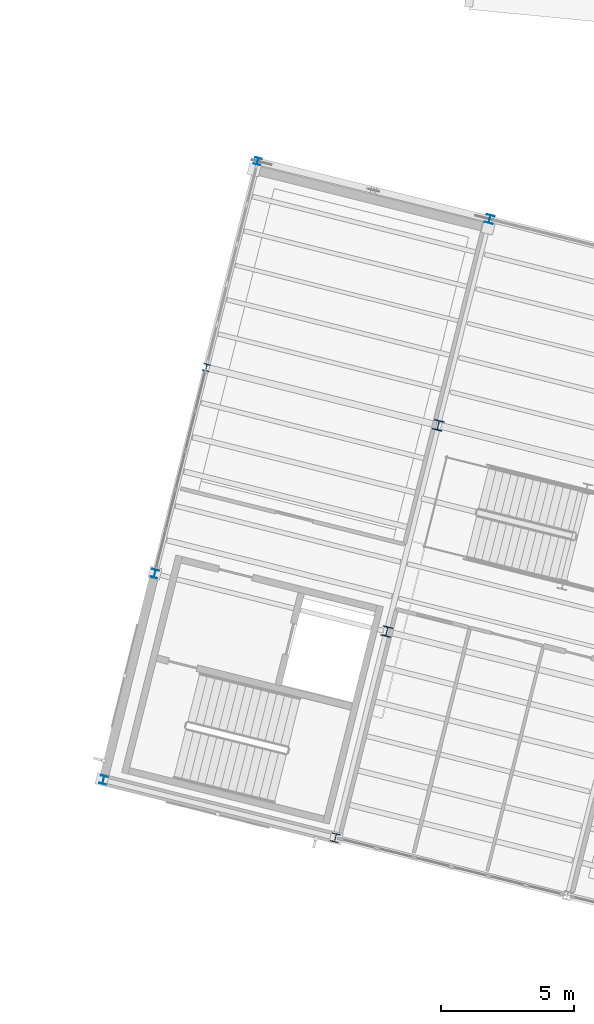
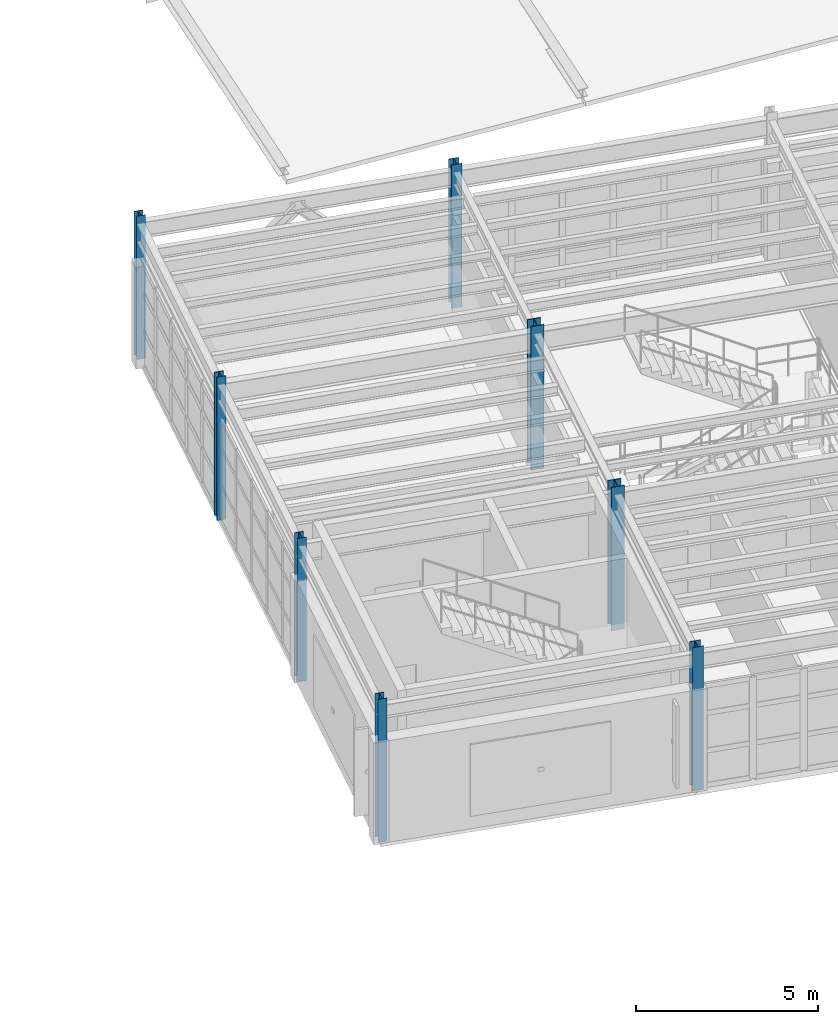
# One storey, part 2 of 59: 8 columns.
"""IFC4 building model written with IfcOpenShell, lengths in metres."""

import ifcopenshell
import ifcopenshell.guid

model = None  # the IFC model being written
_history = None  # IfcOwnerHistory: only IFC2X3 demands one
_inside = {}  # id of a spatial element -> (the spatial element, [elements in it])
_under = {}  # id of a project, library or spatial element -> (it, [spatial elements below it])
_declared = {}  # id of a project -> (the project, [libraries it declares])
_typed = {}  # id of a type object -> (the type object, [elements of that type])
_made_of = {}  # id of a material, layer set ... -> (it, [elements and type objects made of it])


def new_model(schema):
    """Start an empty IFC model of exactly this schema.

    Asked for "IFC4X3", IfcOpenShell would pick the latest addendum, in which some entities
    have other attributes; the version numbers below select the first issue.
    IFC2X3 requires an IfcOwnerHistory on every rooted entity: one is made here for all.
    """
    global model, _history
    if schema == "IFC4X3":
        model = ifcopenshell.file(schema_version=(4, 3, 0, 0))
    else:
        model = ifcopenshell.file(schema=schema)
    _inside.clear()
    _under.clear()
    _declared.clear()
    _typed.clear()
    _made_of.clear()
    _history = None
    if model.schema == "IFC2X3":
        org = make("IfcOrganization", Name="unknown")
        user = make(
            "IfcPersonAndOrganization",
            ThePerson=make("IfcPerson", FamilyName="unknown"),
            TheOrganization=org,
        )
        app = make(
            "IfcApplication",
            ApplicationDeveloper=org,
            Version="unknown",
            ApplicationFullName="unknown",
            ApplicationIdentifier="unknown",
        )
        _history = make(
            "IfcOwnerHistory",
            OwningUser=user,
            OwningApplication=app,
            ChangeAction="ADDED",
            CreationDate=0,
        )
    return model


def make(cls, **values):
    """One entity of the class cls with the attributes given. An attribute that is None is left unset."""
    return model.create_entity(
        cls, **{name: value for name, value in values.items() if value is not None}
    )


def rooted(cls, **values):
    """An entity with a GlobalId (a new one), such as an element, a storey or a relation."""
    return make(cls, GlobalId=ifcopenshell.guid.new(), OwnerHistory=_history, **values)


def si_unit(unit_type, name, prefix=None):
    """IfcSIUnit, for example si_unit("LENGTHUNIT", "METRE", prefix="MILLI")."""
    return make("IfcSIUnit", UnitType=unit_type, Prefix=prefix, Name=name)


def assignment(units):
    """IfcUnitAssignment: the units of a project."""
    return None if units is None else make("IfcUnitAssignment", Units=units)


def point(xyz):
    """IfcCartesianPoint."""
    return None if xyz is None else make("IfcCartesianPoint", Coordinates=xyz)


def direction(xyz):
    """IfcDirection."""
    return None if xyz is None else make("IfcDirection", DirectionRatios=xyz)


def frame(location, z_axis=None, x_axis=None):
    """IfcAxis2Placement3D, a coordinate frame: its origin and axes. An axis left out is left unset."""
    return make(
        "IfcAxis2Placement3D",
        Location=point(location),
        Axis=direction(z_axis),
        RefDirection=direction(x_axis),
    )


def frame_2d(location, x_axis=None):
    """IfcAxis2Placement2D, a coordinate frame in the plane: its origin and x axis."""
    return make(
        "IfcAxis2Placement2D", Location=point(location), RefDirection=direction(x_axis)
    )


def origin():
    """The frame at (0, 0, 0) with its axes left unset."""
    return frame((0.0, 0.0, 0.0))


def origin_2d():
    """The frame at (0, 0) in the plane with its x axis left unset."""
    return frame_2d((0.0, 0.0))


def place(relative_to, where):
    """IfcLocalPlacement: puts the frame where relative to a parent placement (None: the world)."""
    return make(
        "IfcLocalPlacement", PlacementRelTo=relative_to, RelativePlacement=where
    )


def context(
    kind, dimensions, precision=None, world=None, true_north=None, identifier=None
):
    """IfcGeometricRepresentationContext, for example the 3D "Model" context."""
    return make(
        "IfcGeometricRepresentationContext",
        ContextIdentifier=identifier,
        ContextType=kind,
        CoordinateSpaceDimension=dimensions,
        Precision=precision,
        WorldCoordinateSystem=world,
        TrueNorth=true_north,
    )


def subcontext(parent, identifier, kind, view, scale=None):
    """IfcGeometricRepresentationSubContext, for example "Body" below "Model"."""
    return make(
        "IfcGeometricRepresentationSubContext",
        ContextIdentifier=identifier,
        ContextType=kind,
        ParentContext=parent,
        TargetScale=scale,
        TargetView=view,
    )


def project(units=None, contexts=None):
    """IfcProject with its units and contexts."""
    return rooted(
        "IfcProject",
        Name="project",
        RepresentationContexts=contexts,
        UnitsInContext=assignment(units),
    )


def spatial(cls, under=None, at=None, **own):
    """A site, building, storey or space (cls), placed at a placement, below another one or the project."""
    s = rooted(cls, ObjectPlacement=at, **own)
    if under is not None:
        _under.setdefault(under.id(), (under, []))[1].append(s)
    return s


def profile(cls, at=None, kind="AREA", **sizes):
    """A parametric profile (cls). Its sizes go by their IFC names, for example OverallWidth=200.0."""
    return make(cls, ProfileType=kind, Position=at, **sizes)


def i_section(**sizes):
    """IfcIShapeProfileDef."""
    return profile("IfcIShapeProfileDef", **sizes)


def extrude(swept, where, along, depth):
    """IfcExtrudedAreaSolid: the profile swept, set in the frame where, extruded along a direction by depth."""
    return make(
        "IfcExtrudedAreaSolid",
        SweptArea=swept,
        Position=where,
        ExtrudedDirection=direction(along),
        Depth=depth,
    )


def shape(context_of_items, identifier, shape_type, items):
    """IfcShapeRepresentation: the items that make up one representation, for example the "Body"."""
    return make(
        "IfcShapeRepresentation",
        ContextOfItems=context_of_items,
        RepresentationIdentifier=identifier,
        RepresentationType=shape_type,
        Items=items,
    )


def material(Name=None, Category=None):
    """IfcMaterial."""
    return make("IfcMaterial", Name=Name, Category=Category)


def material_profile(
    of_material, cross_section, Name=None, Category=None, Priority=None
):
    """IfcMaterialProfile: a cross section and its material."""
    return make(
        "IfcMaterialProfile",
        Name=Name,
        Material=of_material,
        Profile=cross_section,
        Priority=Priority,
        Category=Category,
    )


def profile_set(profiles, Name=None, composite=None):
    """IfcMaterialProfileSet."""
    return make(
        "IfcMaterialProfileSet",
        Name=Name,
        MaterialProfiles=profiles,
        CompositeProfile=composite,
    )


def made_of(thing, what):
    """Note that an element or type object is made of a material, layer set ...; save() writes the relation."""
    if what is not None:
        _made_of.setdefault(what.id(), (what, []))[1].append(thing)
    return thing


def type_object(cls, material=None, **own):
    """A type object (cls), such as IfcWallType, which elements share."""
    return made_of(rooted(cls, **own), material)


def element(
    cls,
    number,
    at=None,
    inside=None,
    cuts=None,
    type_object=None,
    material=None,
    context=None,
    identifier="Body",
    shape_type=None,
    held_by="IfcProductDefinitionShape",
    body=None,
    shapes=None,
    **own,
):
    """One element of the class cls, such as IfcWall. Its Tag is "e" and its number.

    at: its placement. inside: the storey or other place that contains it. cuts: it is an
    opening in that element (IfcRelVoidsElement). A single representation is given by context,
    identifier, shape_type and body (its items); several are given by shapes. held_by: the class
    of the entity that holds the representations. save() writes the other relations.
    """
    e = rooted(cls, Tag="e%d" % number, ObjectPlacement=at, **own)
    if body is not None:
        shapes = [shape(context, identifier, shape_type, body)]
    if shapes is not None:
        e.Representation = make(held_by, Representations=shapes)
    if inside is not None:
        _inside.setdefault(inside.id(), (inside, []))[1].append(e)
    if cuts is not None:
        rooted(
            "IfcRelVoidsElement", RelatingBuildingElement=cuts, RelatedOpeningElement=e
        )
    if type_object is not None:
        _typed.setdefault(type_object.id(), (type_object, []))[1].append(e)
    return made_of(e, material)


def aggregate(whole, parts):
    """IfcRelAggregates: a whole, such as a stair, and the parts it consists of."""
    return rooted("IfcRelAggregates", RelatingObject=whole, RelatedObjects=parts)


def save(model, path):
    """Write the relations noted so far, then the file.

    IfcRelAggregates (storeys below a building ...), IfcRelContainedInSpatialStructure (elements
    in a storey), IfcRelDefinesByType, IfcRelAssociatesMaterial and IfcRelDeclares: one each for
    every whole, place, type object, material and project.
    """
    for whole, parts in _under.values():
        aggregate(whole, parts)
    for where, things in _inside.values():
        rooted(
            "IfcRelContainedInSpatialStructure",
            RelatedElements=things,
            RelatingStructure=where,
        )
    for kind, things in _typed.values():
        rooted("IfcRelDefinesByType", RelatedObjects=things, RelatingType=kind)
    for what, things in _made_of.values():
        rooted("IfcRelAssociatesMaterial", RelatedObjects=things, RelatingMaterial=what)
    for by, libraries in _declared.values():
        rooted("IfcRelDeclares", RelatingContext=by, RelatedDefinitions=libraries)
    model.write(path)


model = new_model("IFC4")

# Units and contexts
model_context = context("Model", 3, precision=1e-05, world=origin(), true_north=direction((0.0, 1.0)))
body_context = subcontext(model_context, "Body", "Model", "MODEL_VIEW")
ifc_project = project(units=[si_unit("LENGTHUNIT", "METRE"), si_unit("AREAUNIT", "SQUARE_METRE"), si_unit("VOLUMEUNIT", "CUBIC_METRE"), si_unit("PLANEANGLEUNIT", "RADIAN"), si_unit("MASSUNIT", "GRAM", prefix="KILO")], contexts=[model_context])

# Site, building, storey
site_placement = place(None, origin())
site = spatial("IfcSite", under=ifc_project, at=site_placement, CompositionType="ELEMENT")
building_placement = place(site_placement, origin())
building = spatial("IfcBuilding", under=site, at=building_placement, Name="Vireo Bluff Cable Station", CompositionType="ELEMENT")
storey_placement = place(building_placement, frame((0.0, 0.0, 14.39990234375)))
storey = spatial("IfcBuildingStorey", under=building, at=storey_placement, Name="L03", CompositionType="ELEMENT", Elevation=14.39990234375)

# Columns
ifc_material = material(Name="Steel ASTM A992 Gr. 50", Category="steel")
ifc_material_profile_1 = material_profile(ifc_material, i_section(OverallWidth=0.373046875, OverallDepth=0.367919921875, WebThickness=0.014892578125, FlangeThickness=0.02392578125, FilletRadius=0.014892578125, at=origin_2d()), Name="W14X120")
ifc_profile_set_1 = profile_set([ifc_material_profile_1], Name="Steel ASTM A992 Gr. 50")
column_type_1 = type_object("IfcColumnType", Name="COL-W14X120", PredefinedType="COLUMN", material=ifc_profile_set_1)
column_1_placement = place(storey_placement, frame((64.66796875, 43.5849609375, 0.0), z_axis=(0.0, 0.0, 1.0), x_axis=(0.970295726276, -0.2419218956, 0.0)))
element("IfcColumn", 1, at=column_1_placement, inside=storey, type_object=column_type_1, Name="V1 L03 column 29", PredefinedType="COLUMN", context=body_context, shape_type="SweptSolid", body=[
    extrude(i_section(OverallWidth=0.373046875, OverallDepth=0.367919921875, WebThickness=0.014892578125, FlangeThickness=0.02392578125, FilletRadius=0.014892578125, at=origin_2d()), origin(), (0.0, 0.0, 1.0), 4.800048828125),
])
ifc_material_profile_2 = material_profile(ifc_material, i_section(OverallWidth=0.373046875, OverallDepth=0.373046875, WebThickness=0.016357421875, FlangeThickness=0.026123046875, FilletRadius=0.014892578125, at=origin_2d()), Name="W14X132")
ifc_profile_set_2 = profile_set([ifc_material_profile_2], Name="Steel ASTM A992 Gr. 50")
column_type_2 = type_object("IfcColumnType", Name="COL-W14X132", PredefinedType="COLUMN", material=ifc_profile_set_2)
column_2_placement = place(storey_placement, frame((66.603515625, 51.347412109375, 0.0), z_axis=(0.0, 0.0, 1.0), x_axis=(0.970295726276, -0.2419218956, 0.0)))
element("IfcColumn", 2, at=column_2_placement, inside=storey, type_object=column_type_2, Name="V1 L03 column 34", PredefinedType="COLUMN", context=body_context, shape_type="SweptSolid", body=[
    extrude(i_section(OverallWidth=0.373046875, OverallDepth=0.373046875, WebThickness=0.016357421875, FlangeThickness=0.026123046875, FilletRadius=0.014892578125, at=origin_2d()), origin(), (0.0, 0.0, 1.0), 4.800048828125),
])
ifc_material_profile_3 = material_profile(ifc_material, i_section(OverallWidth=0.304931640625, OverallDepth=0.306884765625, WebThickness=0.010009765625, FlangeThickness=0.015380859375, FilletRadius=0.012939453125, at=origin_2d()), Name="W12X65")
ifc_profile_set_3 = profile_set([ifc_material_profile_3], Name="Steel ASTM A992 Gr. 50")
column_type_3 = type_object("IfcColumnType", Name="ECOL-W12X65", PredefinedType="COLUMN", material=ifc_profile_set_3)
column_3_placement = place(storey_placement, frame((68.538818359375, 59.10986328125, 0.0), z_axis=(0.0, 0.0, 1.0), x_axis=(0.970295726276, -0.2419218956, 0.0)))
element("IfcColumn", 3, at=column_3_placement, inside=storey, type_object=column_type_3, Name="V1 L03 column 39", PredefinedType="COLUMN", context=body_context, shape_type="SweptSolid", body=[
    extrude(i_section(OverallWidth=0.304931640625, OverallDepth=0.306884765625, WebThickness=0.010009765625, FlangeThickness=0.015380859375, FilletRadius=0.012939453125, at=origin_2d()), origin(), (0.0, 0.0, 1.0), 4.800048828125),
])
ifc_material_profile_4 = material_profile(ifc_material, i_section(OverallWidth=0.306884765625, OverallDepth=0.31494140625, WebThickness=0.011962890625, FlangeThickness=0.018798828125, FilletRadius=0.012939453125, at=origin_2d()), Name="W12X79")
ifc_profile_set_4 = profile_set([ifc_material_profile_4], Name="Steel ASTM A992 Gr. 50")
column_type_4 = type_object("IfcColumnType", Name="ECOL-W12X79", PredefinedType="COLUMN", material=ifc_profile_set_4)
column_4_placement = place(storey_placement, frame((62.732666015625, 35.82275390625, 0.0), z_axis=(0.0, 0.0, 1.0), x_axis=(0.970295726276, -0.2419218956, 0.0)))
element("IfcColumn", 4, at=column_4_placement, inside=storey, type_object=column_type_4, Name="V1 L03 column 24", PredefinedType="COLUMN", context=body_context, shape_type="SweptSolid", body=[
    extrude(i_section(OverallWidth=0.306884765625, OverallDepth=0.31494140625, WebThickness=0.011962890625, FlangeThickness=0.018798828125, FilletRadius=0.012939453125, at=origin_2d()), origin(), (0.0, 0.0, 1.0), 4.800048828125),
])
ifc_material_profile_5 = material_profile(ifc_material, i_section(OverallWidth=0.2548828125, OverallDepth=0.256103515625, WebThickness=0.009521484375, FlangeThickness=0.015625, FilletRadius=0.009033203125, at=origin_2d()), Name="W10X54")
ifc_profile_set_5 = profile_set([ifc_material_profile_5], Name="Steel ASTM A992 Gr. 50")
column_type_5 = type_object("IfcColumnType", Name="PIL-W10X54", PredefinedType="PILASTER", material=ifc_profile_set_5)
column_5_placement = place(storey_placement, frame((59.80615234375, 61.287109375, 0.0), z_axis=(0.0, 0.0, 1.0), x_axis=(0.970295726276, -0.2419218956, 0.0)))
element("IfcColumn", 5, at=column_5_placement, inside=storey, type_object=column_type_5, Name="V1 L03 column 19", PredefinedType="PILASTER", context=body_context, shape_type="SweptSolid", body=[
    extrude(i_section(OverallWidth=0.2548828125, OverallDepth=0.256103515625, WebThickness=0.009521484375, FlangeThickness=0.015625, FilletRadius=0.009033203125, at=origin_2d()), origin(), (0.0, 0.0, 1.0), 4.800048828125),
])
ifc_material_profile_6 = material_profile(ifc_material, i_section(OverallWidth=0.257080078125, OverallDepth=0.263916015625, WebThickness=0.011962890625, FlangeThickness=0.01953125, FilletRadius=0.009033203125, at=origin_2d()), Name="W10X68")
ifc_profile_set_6 = profile_set([ifc_material_profile_6], Name="Steel ASTM A992 Gr. 50")
column_type_6 = type_object("IfcColumnType", Name="PIL-W10X68", PredefinedType="PILASTER", material=ifc_profile_set_6)
column_6_placement = place(storey_placement, frame((57.870849609375, 53.524658203125, 0.0), z_axis=(0.0, 0.0, 1.0), x_axis=(0.970295726276, -0.2419218956, 0.0)))
element("IfcColumn", 6, at=column_6_placement, inside=storey, type_object=column_type_6, Name="V1 L03 column 14", PredefinedType="PILASTER", context=body_context, shape_type="SweptSolid", body=[
    extrude(i_section(OverallWidth=0.257080078125, OverallDepth=0.263916015625, WebThickness=0.011962890625, FlangeThickness=0.01953125, FilletRadius=0.009033203125, at=origin_2d()), origin(), (0.0, 0.0, 1.0), 4.800048828125),
])
ifc_material_profile_7 = material_profile(ifc_material, i_section(OverallWidth=0.25390625, OverallDepth=0.305908203125, WebThickness=0.0087890625, FlangeThickness=0.0146484375, FilletRadius=0.010986328125, at=origin_2d()), Name="W12X53")
ifc_profile_set_7 = profile_set([ifc_material_profile_7], Name="Steel ASTM A992 Gr. 50")
column_type_7 = type_object("IfcColumnType", Name="PIL-W12X53", PredefinedType="PILASTER", material=ifc_profile_set_7)
column_7_placement = place(storey_placement, frame((55.935302734375, 45.762451171875, 0.0), z_axis=(0.0, 0.0, 1.0), x_axis=(0.970295726276, -0.2419218956, 0.0)))
element("IfcColumn", 7, at=column_7_placement, inside=storey, type_object=column_type_7, Name="V1 L03 column 9", PredefinedType="PILASTER", context=body_context, shape_type="SweptSolid", body=[
    extrude(i_section(OverallWidth=0.25390625, OverallDepth=0.305908203125, WebThickness=0.0087890625, FlangeThickness=0.0146484375, FilletRadius=0.010986328125, at=origin_2d()), origin(), (0.0, 0.0, 1.0), 4.800048828125),
])
ifc_material_profile_8 = material_profile(ifc_material, i_section(OverallWidth=0.25390625, OverallDepth=0.31005859375, WebThickness=0.009033203125, FlangeThickness=0.016357421875, FilletRadius=0.010986328125, at=origin_2d()), Name="W12X58")
ifc_profile_set_8 = profile_set([ifc_material_profile_8], Name="Steel ASTM A992 Gr. 50")
column_type_8 = type_object("IfcColumnType", Name="PIL-W12X58", PredefinedType="PILASTER", material=ifc_profile_set_8)
column_8_placement = place(storey_placement, frame((54.0, 38.0, 0.0), z_axis=(0.0, 0.0, 1.0), x_axis=(0.970295726276, -0.2419218956, 0.0)))
element("IfcColumn", 8, at=column_8_placement, inside=storey, type_object=column_type_8, Name="V1 L03 column 4", PredefinedType="PILASTER", context=body_context, shape_type="SweptSolid", body=[
    extrude(i_section(OverallWidth=0.25390625, OverallDepth=0.31005859375, WebThickness=0.009033203125, FlangeThickness=0.016357421875, FilletRadius=0.010986328125, at=origin_2d()), origin(), (0.0, 0.0, 1.0), 4.800048828125),
])

save(model, "model.ifc")
